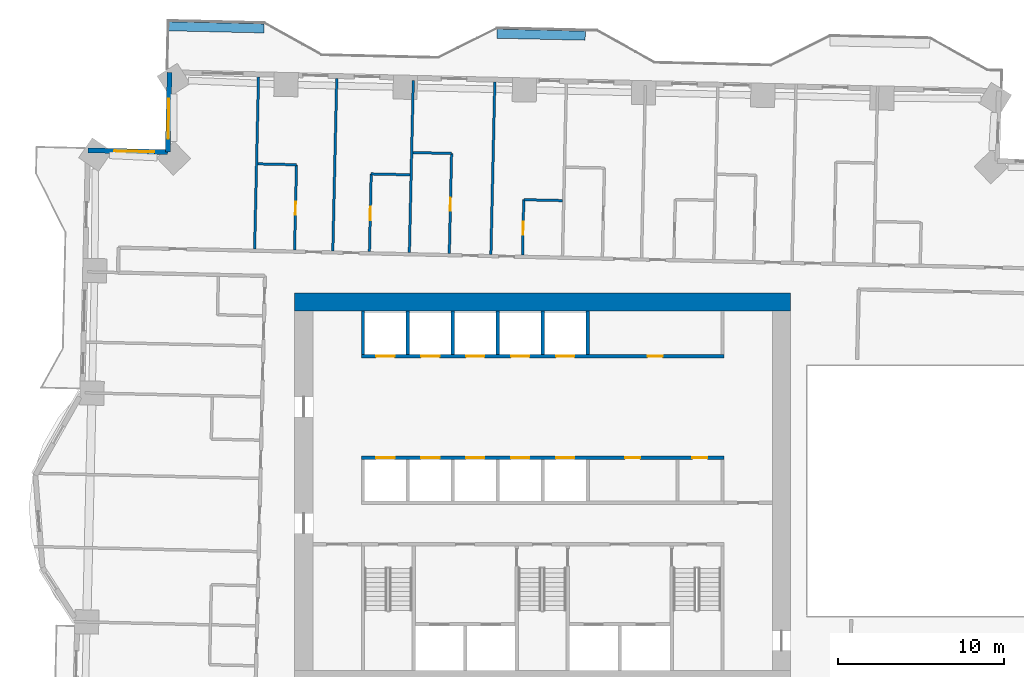
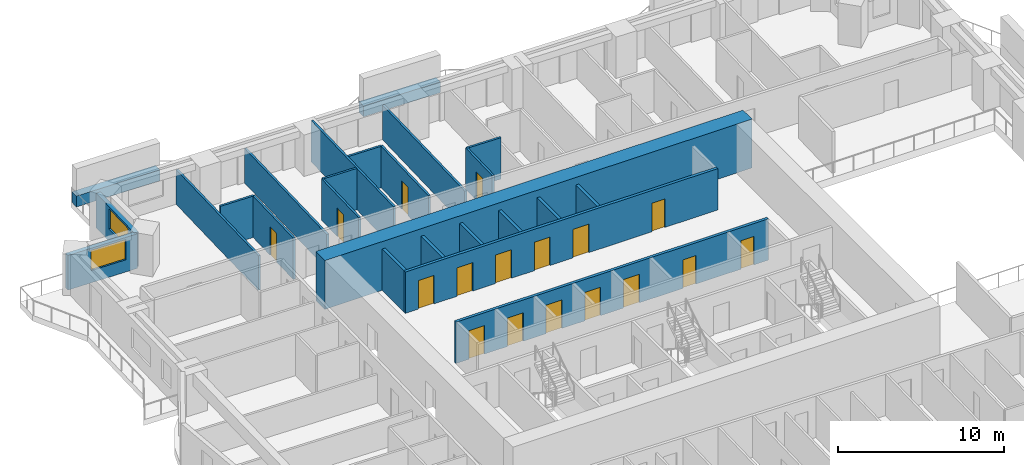
# One storey, part 11 of 18: 25 walls, 17 doors, 2 windows, 19 openings.
"""IFC4 building model written with IfcOpenShell, lengths in metres."""

from ifc_helpers import new_model, si_unit, direction, frame, frame_2d, origin, place, context, subcontext, project, spatial, rectangle, extrude, material, layer, layer_set, type_object, element, fill, save


model = new_model("IFC4")

# Units and contexts
model_context = context("Model", 3, precision=1e-05, world=origin(), true_north=direction((0.0, 1.0)))
body_context = subcontext(model_context, "Body", "Model", "MODEL_VIEW")
ifc_project = project(units=[si_unit("LENGTHUNIT", "METRE"), si_unit("AREAUNIT", "SQUARE_METRE"), si_unit("VOLUMEUNIT", "CUBIC_METRE"), si_unit("PLANEANGLEUNIT", "RADIAN"), si_unit("MASSUNIT", "GRAM", prefix="KILO")], contexts=[model_context])

# Site, building, storey
site_placement = place(None, origin())
site = spatial("IfcSite", under=ifc_project, at=site_placement, CompositionType="ELEMENT")
building_placement = place(site_placement, origin())
building = spatial("IfcBuilding", under=site, at=building_placement, Name="Mangrove Gate Tower", CompositionType="ELEMENT")
storey_placement = place(building_placement, frame((0.0, 0.0, 67.5)))
storey = spatial("IfcBuildingStorey", under=building, at=storey_placement, Name="L16", CompositionType="ELEMENT", Elevation=67.5)

# Wall, openings, doors
ifc_material_1 = material(Name="Concrete C70/85", Category="concrete")
ifc_layer_1 = layer(ifc_material_1, 0.199951171875)
ifc_layer_set_1 = layer_set([ifc_layer_1], Name="Core shaft wall 200 C70/85")
wall_type_1 = type_object("IfcWallType", Name="Core shaft wall 200 C70/85", PredefinedType="SHEAR", material=ifc_layer_set_1)
wall_1_placement = place(storey_placement, frame((-10.89990234375, 2.0, 0.0), z_axis=(0.0, 0.0, 1.0), x_axis=(1.0, 0.0, 0.0)))
wall_1 = element("IfcWall", 1, at=wall_1_placement, inside=storey, type_object=wall_type_1, Name="WALL-L16-CORE-7", PredefinedType="SHEAR", context=body_context, shape_type="SweptSolid", body=[
    extrude(rectangle(XDim=21.7998046875, YDim=0.199951171875, at=frame_2d((10.89990234375, 0.0))), origin(), (0.0, 0.0, 1.0), 3.050048828125),
])
opening_1_placement = place(wall_1_placement, frame((0.89990234375, 0.0, 0.0)))
opening_1 = element("IfcOpeningElement", 2, at=opening_1_placement, cuts=wall_1, Name="Opening LD", PredefinedType="OPENING", context=body_context, shape_type="SweptSolid", body=[
    extrude(rectangle(XDim=1.10009765625, YDim=2.10009765625, at=frame_2d((0.550048828125, 1.050048828125))), frame((0.0, 0.10986328125, 0.0), z_axis=(0.0, -1.0, 0.0), x_axis=(1.0, 0.0, 0.0)), (0.0, 0.0, 1.0), 0.219970703125),
])
opening_2_placement = place(wall_1_placement, frame((3.60009765625, 0.0, 0.0)))
opening_2 = element("IfcOpeningElement", 3, at=opening_2_placement, cuts=wall_1, Name="Opening LD", PredefinedType="OPENING", context=body_context, shape_type="SweptSolid", body=[
    extrude(rectangle(XDim=1.10009765625, YDim=2.10009765625, at=frame_2d((0.550048828125, 1.050048828125))), frame((0.0, 0.10986328125, 0.0), z_axis=(0.0, -1.0, 0.0), x_axis=(1.0, 0.0, 0.0)), (0.0, 0.0, 1.0), 0.219970703125),
])
opening_3_placement = place(wall_1_placement, frame((6.300048828125, 0.0, 0.0)))
opening_3 = element("IfcOpeningElement", 4, at=opening_3_placement, cuts=wall_1, Name="Opening LD", PredefinedType="OPENING", context=body_context, shape_type="SweptSolid", body=[
    extrude(rectangle(XDim=1.10009765625, YDim=2.10009765625, at=frame_2d((0.550048828125, 1.050048828125))), frame((0.0, 0.10986328125, 0.0), z_axis=(0.0, -1.0, 0.0), x_axis=(1.0, 0.0, 0.0)), (0.0, 0.0, 1.0), 0.219970703125),
])
opening_4_placement = place(wall_1_placement, frame((9.0, 0.0, 0.0)))
opening_4 = element("IfcOpeningElement", 5, at=opening_4_placement, cuts=wall_1, Name="Opening LD", PredefinedType="OPENING", context=body_context, shape_type="SweptSolid", body=[
    extrude(rectangle(XDim=1.10009765625, YDim=2.10009765625, at=frame_2d((0.550048828125, 1.050048828125))), frame((0.0, 0.10986328125, 0.0), z_axis=(0.0, -1.0, 0.0), x_axis=(1.0, 0.0, 0.0)), (0.0, 0.0, 1.0), 0.219970703125),
])
opening_5_placement = place(wall_1_placement, frame((11.699951171875, 0.0, 0.0)))
opening_5 = element("IfcOpeningElement", 6, at=opening_5_placement, cuts=wall_1, Name="Opening LD", PredefinedType="OPENING", context=body_context, shape_type="SweptSolid", body=[
    extrude(rectangle(XDim=1.10009765625, YDim=2.10009765625, at=frame_2d((0.550048828125, 1.050048828125))), frame((0.0, 0.10986328125, 0.0), z_axis=(0.0, -1.0, 0.0), x_axis=(1.0, 0.0, 0.0)), (0.0, 0.0, 1.0), 0.219970703125),
])
opening_6_placement = place(wall_1_placement, frame((15.85009765625, 0.0, 0.0)))
opening_6 = element("IfcOpeningElement", 7, at=opening_6_placement, cuts=wall_1, Name="Opening KD", PredefinedType="OPENING", context=body_context, shape_type="SweptSolid", body=[
    extrude(rectangle(XDim=0.89990234375, YDim=2.10009765625, at=frame_2d((0.449951171875, 1.050048828125))), frame((0.0, 0.10986328125, 0.0), z_axis=(0.0, -1.0, 0.0), x_axis=(1.0, 0.0, 0.0)), (0.0, 0.0, 1.0), 0.219970703125),
])
opening_7_placement = place(wall_1_placement, frame((19.89990234375, 0.0, 0.0)))
opening_7 = element("IfcOpeningElement", 8, at=opening_7_placement, cuts=wall_1, Name="Opening RD", PredefinedType="OPENING", context=body_context, shape_type="SweptSolid", body=[
    extrude(rectangle(XDim=0.89990234375, YDim=2.10009765625, at=frame_2d((0.449951171875, 1.050048828125))), frame((0.0, 0.10986328125, 0.0), z_axis=(0.0, -1.0, 0.0), x_axis=(1.0, 0.0, 0.0)), (0.0, 0.0, 1.0), 0.219970703125),
])
ifc_material_2 = material(Name="Fire-rated steel door set", Category="steel")
door_type_1 = type_object("IfcDoorType", Name="Core room door FD30S 900x2100", OperationType="SINGLE_SWING_RIGHT", PredefinedType="DOOR", material=ifc_material_2)
door_1_placement = place(opening_6_placement, origin())
door_1 = element("IfcDoor", 9, at=door_1_placement, inside=storey, type_object=door_type_1, Name="Core room door Linen store", OperationType="SINGLE_SWING_RIGHT", OverallHeight=2.10009765625, OverallWidth=0.89990234375, PredefinedType="DOOR", context=body_context, shape_type="SweptSolid", body=[
    extrude(rectangle(XDim=0.89990234375, YDim=2.10009765625, at=frame_2d((0.449951171875, 1.050048828125))), frame((0.0, 0.02490234375, 0.0), z_axis=(0.0, -1.0, 0.0), x_axis=(1.0, 0.0, 0.0)), (0.0, 0.0, 1.0), 0.050048828125),
])
fill(opening_6, door_1)
ifc_material_3 = material(Name="Stainless steel 316", Category="steel")
door_type_2 = type_object("IfcDoorType", Name="Lift landing door 1100x2100", OperationType="SLIDING_TO_LEFT", PredefinedType="DOOR", material=ifc_material_3)
door_2_placement = place(opening_1_placement, origin())
door_2 = element("IfcDoor", 10, at=door_2_placement, inside=storey, type_object=door_type_2, Name="Landing door LD P01", OperationType="SLIDING_TO_LEFT", OverallHeight=2.10009765625, OverallWidth=1.10009765625, PredefinedType="DOOR", context=body_context, shape_type="SweptSolid", body=[
    extrude(rectangle(XDim=1.10009765625, YDim=2.10009765625, at=frame_2d((0.550048828125, 1.050048828125))), frame((0.0, 0.02490234375, 0.0), z_axis=(0.0, -1.0, 0.0), x_axis=(1.0, 0.0, 0.0)), (0.0, 0.0, 1.0), 0.050048828125),
])
fill(opening_1, door_2)
door_3_placement = place(opening_2_placement, origin())
door_3 = element("IfcDoor", 11, at=door_3_placement, inside=storey, type_object=door_type_2, Name="Landing door LD P02", OperationType="SLIDING_TO_LEFT", OverallHeight=2.10009765625, OverallWidth=1.10009765625, PredefinedType="DOOR", context=body_context, shape_type="SweptSolid", body=[
    extrude(rectangle(XDim=1.10009765625, YDim=2.10009765625, at=frame_2d((0.550048828125, 1.050048828125))), frame((0.0, 0.02490234375, 0.0), z_axis=(0.0, -1.0, 0.0), x_axis=(1.0, 0.0, 0.0)), (0.0, 0.0, 1.0), 0.050048828125),
])
fill(opening_2, door_3)
door_4_placement = place(opening_3_placement, origin())
door_4 = element("IfcDoor", 12, at=door_4_placement, inside=storey, type_object=door_type_2, Name="Landing door LD P03", OperationType="SLIDING_TO_LEFT", OverallHeight=2.10009765625, OverallWidth=1.10009765625, PredefinedType="DOOR", context=body_context, shape_type="SweptSolid", body=[
    extrude(rectangle(XDim=1.10009765625, YDim=2.10009765625, at=frame_2d((0.550048828125, 1.050048828125))), frame((0.0, 0.02490234375, 0.0), z_axis=(0.0, -1.0, 0.0), x_axis=(1.0, 0.0, 0.0)), (0.0, 0.0, 1.0), 0.050048828125),
])
fill(opening_3, door_4)
door_5_placement = place(opening_4_placement, origin())
door_5 = element("IfcDoor", 13, at=door_5_placement, inside=storey, type_object=door_type_2, Name="Landing door LD P04", OperationType="SLIDING_TO_LEFT", OverallHeight=2.10009765625, OverallWidth=1.10009765625, PredefinedType="DOOR", context=body_context, shape_type="SweptSolid", body=[
    extrude(rectangle(XDim=1.10009765625, YDim=2.10009765625, at=frame_2d((0.550048828125, 1.050048828125))), frame((0.0, 0.02490234375, 0.0), z_axis=(0.0, -1.0, 0.0), x_axis=(1.0, 0.0, 0.0)), (0.0, 0.0, 1.0), 0.050048828125),
])
fill(opening_4, door_5)
door_6_placement = place(opening_5_placement, origin())
door_6 = element("IfcDoor", 14, at=door_6_placement, inside=storey, type_object=door_type_2, Name="Landing door LD P05", OperationType="SLIDING_TO_LEFT", OverallHeight=2.10009765625, OverallWidth=1.10009765625, PredefinedType="DOOR", context=body_context, shape_type="SweptSolid", body=[
    extrude(rectangle(XDim=1.10009765625, YDim=2.10009765625, at=frame_2d((0.550048828125, 1.050048828125))), frame((0.0, 0.02490234375, 0.0), z_axis=(0.0, -1.0, 0.0), x_axis=(1.0, 0.0, 0.0)), (0.0, 0.0, 1.0), 0.050048828125),
])
fill(opening_5, door_6)
ifc_material_4 = material(Name="Fire-rated steel door set", Category="steel")
door_type_3 = type_object("IfcDoorType", Name="Riser door FD30S 900x2100", OperationType="SINGLE_SWING_LEFT", PredefinedType="DOOR", material=ifc_material_4)
door_7_placement = place(opening_7_placement, origin())
door_7 = element("IfcDoor", 15, at=door_7_placement, inside=storey, type_object=door_type_3, Name="Riser door Switch room", OperationType="SINGLE_SWING_LEFT", OverallHeight=2.10009765625, OverallWidth=0.89990234375, PredefinedType="DOOR", context=body_context, shape_type="SweptSolid", body=[
    extrude(rectangle(XDim=0.89990234375, YDim=2.10009765625, at=frame_2d((0.449951171875, 1.050048828125))), frame((0.0, 0.02490234375, 0.0), z_axis=(0.0, -1.0, 0.0), x_axis=(1.0, 0.0, 0.0)), (0.0, 0.0, 1.0), 0.050048828125),
])
fill(opening_7, door_7)

wall_2_placement = place(storey_placement, frame((-10.89990234375, 8.10009765625, 0.0), z_axis=(0.0, 0.0, 1.0), x_axis=(1.0, 0.0, 0.0)))
wall_2 = element("IfcWall", 16, at=wall_2_placement, inside=storey, type_object=wall_type_1, Name="WALL-L16-CORE-8", PredefinedType="SHEAR", context=body_context, shape_type="SweptSolid", body=[
    extrude(rectangle(XDim=21.7998046875, YDim=0.199951171875, at=frame_2d((10.89990234375, 0.0))), origin(), (0.0, 0.0, 1.0), 3.050048828125),
])
opening_8_placement = place(wall_2_placement, frame((0.89990234375, 0.0, 0.0)))
opening_8 = element("IfcOpeningElement", 17, at=opening_8_placement, cuts=wall_2, Name="Opening LD", PredefinedType="OPENING", context=body_context, shape_type="SweptSolid", body=[
    extrude(rectangle(XDim=1.10009765625, YDim=2.10009765625, at=frame_2d((0.550048828125, 1.050048828125))), frame((0.0, 0.10986328125, 0.0), z_axis=(0.0, -1.0, 0.0), x_axis=(1.0, 0.0, 0.0)), (0.0, 0.0, 1.0), 0.219970703125),
])
opening_9_placement = place(wall_2_placement, frame((3.60009765625, 0.0, 0.0)))
opening_9 = element("IfcOpeningElement", 18, at=opening_9_placement, cuts=wall_2, Name="Opening LD", PredefinedType="OPENING", context=body_context, shape_type="SweptSolid", body=[
    extrude(rectangle(XDim=1.10009765625, YDim=2.10009765625, at=frame_2d((0.550048828125, 1.050048828125))), frame((0.0, 0.10986328125, 0.0), z_axis=(0.0, -1.0, 0.0), x_axis=(1.0, 0.0, 0.0)), (0.0, 0.0, 1.0), 0.219970703125),
])
opening_10_placement = place(wall_2_placement, frame((6.300048828125, 0.0, 0.0)))
opening_10 = element("IfcOpeningElement", 19, at=opening_10_placement, cuts=wall_2, Name="Opening LD", PredefinedType="OPENING", context=body_context, shape_type="SweptSolid", body=[
    extrude(rectangle(XDim=1.10009765625, YDim=2.10009765625, at=frame_2d((0.550048828125, 1.050048828125))), frame((0.0, 0.10986328125, 0.0), z_axis=(0.0, -1.0, 0.0), x_axis=(1.0, 0.0, 0.0)), (0.0, 0.0, 1.0), 0.219970703125),
])
opening_11_placement = place(wall_2_placement, frame((9.0, 0.0, 0.0)))
opening_11 = element("IfcOpeningElement", 20, at=opening_11_placement, cuts=wall_2, Name="Opening LD", PredefinedType="OPENING", context=body_context, shape_type="SweptSolid", body=[
    extrude(rectangle(XDim=1.10009765625, YDim=2.10009765625, at=frame_2d((0.550048828125, 1.050048828125))), frame((0.0, 0.10986328125, 0.0), z_axis=(0.0, -1.0, 0.0), x_axis=(1.0, 0.0, 0.0)), (0.0, 0.0, 1.0), 0.219970703125),
])
opening_12_placement = place(wall_2_placement, frame((11.699951171875, 0.0, 0.0)))
opening_12 = element("IfcOpeningElement", 21, at=opening_12_placement, cuts=wall_2, Name="Opening LD", PredefinedType="OPENING", context=body_context, shape_type="SweptSolid", body=[
    extrude(rectangle(XDim=1.10009765625, YDim=2.10009765625, at=frame_2d((0.550048828125, 1.050048828125))), frame((0.0, 0.10986328125, 0.0), z_axis=(0.0, -1.0, 0.0), x_axis=(1.0, 0.0, 0.0)), (0.0, 0.0, 1.0), 0.219970703125),
])
opening_13_placement = place(wall_2_placement, frame((17.199951171875, 0.0, 0.0)))
opening_13 = element("IfcOpeningElement", 22, at=opening_13_placement, cuts=wall_2, Name="Opening RD", PredefinedType="OPENING", context=body_context, shape_type="SweptSolid", body=[
    extrude(rectangle(XDim=0.89990234375, YDim=2.10009765625, at=frame_2d((0.449951171875, 1.050048828125))), frame((0.0, 0.10986328125, 0.0), z_axis=(0.0, -1.0, 0.0), x_axis=(1.0, 0.0, 0.0)), (0.0, 0.0, 1.0), 0.219970703125),
])
door_8_placement = place(opening_8_placement, origin())
door_8 = element("IfcDoor", 23, at=door_8_placement, inside=storey, type_object=door_type_2, Name="Landing door LD P06", OperationType="SLIDING_TO_LEFT", OverallHeight=2.10009765625, OverallWidth=1.10009765625, PredefinedType="DOOR", context=body_context, shape_type="SweptSolid", body=[
    extrude(rectangle(XDim=1.10009765625, YDim=2.10009765625, at=frame_2d((0.550048828125, 1.050048828125))), frame((0.0, 0.02490234375, 0.0), z_axis=(0.0, -1.0, 0.0), x_axis=(1.0, 0.0, 0.0)), (0.0, 0.0, 1.0), 0.050048828125),
])
fill(opening_8, door_8)
door_9_placement = place(opening_9_placement, origin())
door_9 = element("IfcDoor", 24, at=door_9_placement, inside=storey, type_object=door_type_2, Name="Landing door LD P07", OperationType="SLIDING_TO_LEFT", OverallHeight=2.10009765625, OverallWidth=1.10009765625, PredefinedType="DOOR", context=body_context, shape_type="SweptSolid", body=[
    extrude(rectangle(XDim=1.10009765625, YDim=2.10009765625, at=frame_2d((0.550048828125, 1.050048828125))), frame((0.0, 0.02490234375, 0.0), z_axis=(0.0, -1.0, 0.0), x_axis=(1.0, 0.0, 0.0)), (0.0, 0.0, 1.0), 0.050048828125),
])
fill(opening_9, door_9)
door_10_placement = place(opening_10_placement, origin())
door_10 = element("IfcDoor", 25, at=door_10_placement, inside=storey, type_object=door_type_2, Name="Landing door LD P08", OperationType="SLIDING_TO_LEFT", OverallHeight=2.10009765625, OverallWidth=1.10009765625, PredefinedType="DOOR", context=body_context, shape_type="SweptSolid", body=[
    extrude(rectangle(XDim=1.10009765625, YDim=2.10009765625, at=frame_2d((0.550048828125, 1.050048828125))), frame((0.0, 0.02490234375, 0.0), z_axis=(0.0, -1.0, 0.0), x_axis=(1.0, 0.0, 0.0)), (0.0, 0.0, 1.0), 0.050048828125),
])
fill(opening_10, door_10)
door_11_placement = place(opening_11_placement, origin())
door_11 = element("IfcDoor", 26, at=door_11_placement, inside=storey, type_object=door_type_2, Name="Landing door LD P09", OperationType="SLIDING_TO_LEFT", OverallHeight=2.10009765625, OverallWidth=1.10009765625, PredefinedType="DOOR", context=body_context, shape_type="SweptSolid", body=[
    extrude(rectangle(XDim=1.10009765625, YDim=2.10009765625, at=frame_2d((0.550048828125, 1.050048828125))), frame((0.0, 0.02490234375, 0.0), z_axis=(0.0, -1.0, 0.0), x_axis=(1.0, 0.0, 0.0)), (0.0, 0.0, 1.0), 0.050048828125),
])
fill(opening_11, door_11)
door_12_placement = place(opening_12_placement, origin())
door_12 = element("IfcDoor", 27, at=door_12_placement, inside=storey, type_object=door_type_2, Name="Landing door LD P10", OperationType="SLIDING_TO_LEFT", OverallHeight=2.10009765625, OverallWidth=1.10009765625, PredefinedType="DOOR", context=body_context, shape_type="SweptSolid", body=[
    extrude(rectangle(XDim=1.10009765625, YDim=2.10009765625, at=frame_2d((0.550048828125, 1.050048828125))), frame((0.0, 0.02490234375, 0.0), z_axis=(0.0, -1.0, 0.0), x_axis=(1.0, 0.0, 0.0)), (0.0, 0.0, 1.0), 0.050048828125),
])
fill(opening_12, door_12)
door_13_placement = place(opening_13_placement, origin())
door_13 = element("IfcDoor", 28, at=door_13_placement, inside=storey, type_object=door_type_3, Name="Riser door Comms room", OperationType="SINGLE_SWING_LEFT", OverallHeight=2.10009765625, OverallWidth=0.89990234375, PredefinedType="DOOR", context=body_context, shape_type="SweptSolid", body=[
    extrude(rectangle(XDim=0.89990234375, YDim=2.10009765625, at=frame_2d((0.449951171875, 1.050048828125))), frame((0.0, 0.02490234375, 0.0), z_axis=(0.0, -1.0, 0.0), x_axis=(1.0, 0.0, 0.0)), (0.0, 0.0, 1.0), 0.050048828125),
])
fill(opening_13, door_13)

# Walls
for number, where, z_axis, x_axis, name in (
    (29, (-10.800048828125, 8.199951171875, 0.0), (0.0, 0.0, 1.0), (0.0, 1.0, 0.0), "WALL-L16-CORE-27"),
    (30, (-8.10009765625, 8.199951171875, 0.0), (0.0, 0.0, 1.0), (0.0, 1.0, 0.0), "WALL-L16-CORE-28"),
    (31, (-5.39990234375, 8.199951171875, 0.0), (0.0, 0.0, 1.0), (0.0, 1.0, 0.0), "WALL-L16-CORE-29"),
    (32, (-2.699951171875, 8.199951171875, 0.0), (0.0, 0.0, 1.0), (0.0, 1.0, 0.0), "WALL-L16-CORE-30"),
    (33, (0.0, 8.199951171875, 0.0), (0.0, 0.0, 1.0), (0.0, 1.0, 0.0), "WALL-L16-CORE-31"),
    (34, (2.699951171875, 8.199951171875, 0.0), (0.0, 0.0, 1.0), (0.0, 1.0, 0.0), "WALL-L16-CORE-32"),
):
    element("IfcWall", number, at=place(storey_placement, frame(where, z_axis=z_axis, x_axis=x_axis)), inside=storey, type_object=wall_type_1, Name=name, PredefinedType="SHEAR", context=body_context, shape_type="SweptSolid", body=[
        extrude(rectangle(XDim=2.60009765625, YDim=0.199951171875, at=frame_2d((1.300048828125, 0.0))), origin(), (0.0, 0.0, 1.0), 3.050048828125),
    ])
ifc_material_5 = material(Name="Concrete C70/85", Category="concrete")
ifc_layer_2 = layer(ifc_material_5, 1.10009765625)
ifc_layer_set_2 = layer_set([ifc_layer_2], Name="Core wall 1100 C70/85")
wall_type_2 = type_object("IfcWallType", Name="Core wall 1100 C70/85", PredefinedType="SHEAR", material=ifc_layer_set_2)
wall_3_placement = place(storey_placement, frame((-14.89990234375, 11.35009765625, 0.0), z_axis=(0.0, 0.0, 1.0), x_axis=(1.0, 0.0, 0.0)))
element("IfcWall", 35, at=wall_3_placement, inside=storey, type_object=wall_type_2, Name="WALL-L16-CORE-2", PredefinedType="SHEAR", context=body_context, shape_type="SweptSolid", body=[
    extrude(rectangle(XDim=29.7998046875, YDim=1.10009765625, at=frame_2d((14.89990234375, 0.0))), origin(), (0.0, 0.0, 1.0), 3.60009765625),
])

# Wall, opening, window
ifc_material_6 = material(Name="Limestone", Category="masonry")
ifc_layer_3 = layer(ifc_material_6, 0.0400390625, Name="Limestone cladding")
ifc_material_7 = material(Name="Ventilated air gap")
ifc_layer_4 = layer(ifc_material_7, 0.0400390625, Name="Ventilated cavity")
ifc_material_8 = material(Name="Mineral wool insulation")
ifc_layer_5 = layer(ifc_material_8, 0.06005859375, Name="Insulation")
ifc_material_9 = material(Name="Breather membrane")
ifc_layer_6 = layer(ifc_material_9, 0.001953125, Name="Breather membrane")
ifc_material_10 = material(Name="Concrete C20/25 blockwork", Category="masonry")
ifc_layer_7 = layer(ifc_material_10, 0.14990234375, Name="Blockwork backing wall")
ifc_material_11 = material(Name="Gypsum plaster")
ifc_layer_8 = layer(ifc_material_11, 0.008056640625, Name="Internal plaster")
ifc_layer_set_3 = layer_set([ifc_layer_3, ifc_layer_4, ifc_layer_5, ifc_layer_6, ifc_layer_7, ifc_layer_8], Name="External wall 300 limestone cladding")
wall_type_3 = type_object("IfcWallType", Name="External wall 300 limestone cladding", PredefinedType="SOLIDWALL", material=ifc_layer_set_3)
wall_4_placement = place(storey_placement, frame((-22.416015625, 25.152099609375, 0.0), z_axis=(0.0, 0.0, 1.0), x_axis=(-0.022683280499, -0.999742701292, 0.0)))
wall_4 = element("IfcWall", 36, at=wall_4_placement, inside=storey, type_object=wall_type_3, Name="WALL-L16-W6", PredefinedType="SOLIDWALL", context=body_context, shape_type="SweptSolid", body=[
    extrude(rectangle(XDim=4.80029296875, YDim=0.300048828125, at=frame_2d((2.400146484375, 0.0))), origin(), (0.0, 0.0, 1.0), 2.550048828125),
])
opening_14_placement = place(wall_4_placement, frame((1.597900390625, 0.0, 0.89990234375)))
opening_14 = element("IfcOpeningElement", 37, at=opening_14_placement, cuts=wall_4, Name="Opening W2", PredefinedType="OPENING", context=body_context, shape_type="SweptSolid", body=[
    extrude(rectangle(XDim=2.39990234375, YDim=1.5, at=frame_2d((1.199951171875, 0.75))), frame((0.0, 0.159912109375, 0.0), z_axis=(0.0, -1.0, 0.0), x_axis=(1.0, 0.0, 0.0)), (0.0, 0.0, 1.0), 0.320068359375),
])
ifc_material_12 = material(Name="Aluminium frame with double-glazed low-e glass", Category="aluminium")
window_type = type_object("IfcWindowType", Name="Corner room window 2400x1500", PartitioningType="DOUBLE_PANEL_VERTICAL", PredefinedType="WINDOW", material=ifc_material_12)
window_1_placement = place(opening_14_placement, origin())
window_1 = element("IfcWindow", 38, at=window_1_placement, inside=storey, type_object=window_type, Name="WIN-L16-W6-1", OverallHeight=1.5, OverallWidth=2.39990234375, PartitioningType="DOUBLE_PANEL_VERTICAL", PredefinedType="WINDOW", context=body_context, shape_type="SweptSolid", body=[
    extrude(rectangle(XDim=2.39990234375, YDim=1.5, at=frame_2d((1.199951171875, 0.75))), frame((0.0, 0.030029296875, 0.0), z_axis=(0.0, -1.0, 0.0), x_axis=(1.0, 0.0, 0.0)), (0.0, 0.0, 1.0), 0.06005859375),
])
fill(opening_14, window_1)

wall_5_placement = place(storey_placement, frame((-22.52490234375, 20.35302734375, 0.0), z_axis=(0.0, 0.0, 1.0), x_axis=(-0.999742701292, 0.022683280499, 0.0)))
wall_5 = element("IfcWall", 39, at=wall_5_placement, inside=storey, type_object=wall_type_3, Name="WALL-L16-N7", PredefinedType="SOLIDWALL", context=body_context, shape_type="SweptSolid", body=[
    extrude(rectangle(XDim=4.80029296875, YDim=0.300048828125, at=frame_2d((2.400146484375, 0.0))), origin(), (0.0, 0.0, 1.0), 2.550048828125),
])
opening_15_placement = place(wall_5_placement, frame((0.801025390625, 0.0, 0.89990234375)))
opening_15 = element("IfcOpeningElement", 40, at=opening_15_placement, cuts=wall_5, Name="Opening W2", PredefinedType="OPENING", context=body_context, shape_type="SweptSolid", body=[
    extrude(rectangle(XDim=2.39990234375, YDim=1.5, at=frame_2d((1.199951171875, 0.75))), frame((0.0, 0.159912109375, 0.0), z_axis=(0.0, -1.0, 0.0), x_axis=(1.0, 0.0, 0.0)), (0.0, 0.0, 1.0), 0.320068359375),
])
window_2_placement = place(opening_15_placement, origin())
window_2 = element("IfcWindow", 41, at=window_2_placement, inside=storey, type_object=window_type, Name="WIN-L16-N7-1", OverallHeight=1.5, OverallWidth=2.39990234375, PartitioningType="DOUBLE_PANEL_VERTICAL", PredefinedType="WINDOW", context=body_context, shape_type="SweptSolid", body=[
    extrude(rectangle(XDim=2.39990234375, YDim=1.5, at=frame_2d((1.199951171875, 0.75))), frame((0.0, 0.030029296875, 0.0), z_axis=(0.0, -1.0, 0.0), x_axis=(1.0, 0.0, 0.0)), (0.0, 0.0, 1.0), 0.06005859375),
])
fill(opening_15, window_2)

# Wall
ifc_material_13 = material(Name="Gypsum board on steel stud, EI 60", Category="steel")
ifc_layer_9 = layer(ifc_material_13, 0.14990234375)
ifc_layer_set_4 = layer_set([ifc_layer_9], Name="Party wall 150 EI 60")
wall_type_4 = type_object("IfcWallType", Name="Party wall 150 EI 60", PredefinedType="PARTITIONING", material=ifc_layer_set_4)
wall_6_placement = place(storey_placement, frame((-17.30810546875, 14.532958984375, 0.0), z_axis=(0.0, 0.0, 1.0), x_axis=(0.022713904397, 0.999742005993, 0.0)))
element("IfcWall", 42, at=wall_6_placement, inside=storey, type_object=wall_type_4, Name="WALL-L16-060", PredefinedType="PARTITIONING", context=body_context, shape_type="SweptSolid", body=[
    extrude(rectangle(XDim=10.350830078125, YDim=0.14990234375, at=frame_2d((5.17529296875, 0.0))), origin(), (0.0, 0.0, 1.0), 2.550048828125),
])

# Wall, opening, door
wall_7_placement = place(storey_placement, frame((-14.907958984375, 14.47900390625, 0.0), z_axis=(0.0, 0.0, 1.0), x_axis=(0.02265315592, 0.999743384338, 0.0)))
wall_7 = element("IfcWall", 43, at=wall_7_placement, inside=storey, type_object=wall_type_4, Name="WALL-L16-061", PredefinedType="PARTITIONING", context=body_context, shape_type="SweptSolid", body=[
    extrude(rectangle(XDim=5.119140625, YDim=0.14990234375, at=frame_2d((2.5595703125, 0.0))), origin(), (0.0, 0.0, 1.0), 3.050048828125),
])
opening_16_placement = place(wall_7_placement, frame((2.110107421875, 0.0, 0.0)))
opening_16 = element("IfcOpeningElement", 44, at=opening_16_placement, cuts=wall_7, Name="Opening ED", PredefinedType="OPENING", context=body_context, shape_type="SweptSolid", body=[
    extrude(rectangle(XDim=0.800048828125, YDim=2.10009765625, at=frame_2d((0.39990234375, 1.050048828125))), frame((0.0, 0.0849609375, 0.0), z_axis=(0.0, -1.0, 0.0), x_axis=(1.0, 0.0, 0.0)), (0.0, 0.0, 1.0), 0.169921875),
])
ifc_material_14 = material(Name="Timber door leaf", Category="wood")
door_type_4 = type_object("IfcDoorType", Name="En-suite door 800", OperationType="SINGLE_SWING_LEFT", PredefinedType="DOOR", material=ifc_material_14)
door_14_placement = place(opening_16_placement, origin())
door_14 = element("IfcDoor", 45, at=door_14_placement, inside=storey, type_object=door_type_4, Name="DOOR-L16-ENS-c517", OperationType="SINGLE_SWING_LEFT", OverallHeight=2.10009765625, OverallWidth=0.800048828125, PredefinedType="DOOR", context=body_context, shape_type="SweptSolid", body=[
    extrude(rectangle(XDim=0.800048828125, YDim=2.10009765625, at=frame_2d((0.39990234375, 1.050048828125))), frame((0.0, 0.02490234375, 0.0), z_axis=(0.0, -1.0, 0.0), x_axis=(1.0, 0.0, 0.0)), (0.0, 0.0, 1.0), 0.050048828125),
])
fill(opening_16, door_14)

# Wall
wall_8_placement = place(storey_placement, frame((-12.60888671875, 14.427001953125, 0.0), z_axis=(0.0, 0.0, 1.0), x_axis=(0.022693005506, 0.999742480592, 0.0)))
element("IfcWall", 46, at=wall_8_placement, inside=storey, type_object=wall_type_4, Name="WALL-L16-062", PredefinedType="PARTITIONING", context=body_context, shape_type="SweptSolid", body=[
    extrude(rectangle(XDim=10.349609375, YDim=0.14990234375, at=frame_2d((5.1748046875, 0.0))), origin(), (0.0, 0.0, 1.0), 2.550048828125),
])

# Wall, opening, door
wall_9_placement = place(storey_placement, frame((-10.408935546875, 14.376953125, 0.0), z_axis=(0.0, 0.0, 1.0), x_axis=(0.022483854533, 0.99974720619, 0.0)))
wall_9 = element("IfcWall", 47, at=wall_9_placement, inside=storey, type_object=wall_type_4, Name="WALL-L16-063", PredefinedType="PARTITIONING", context=body_context, shape_type="SweptSolid", body=[
    extrude(rectangle(XDim=4.669189453125, YDim=0.14990234375, at=frame_2d((2.33447265625, 0.0))), origin(), (0.0, 0.0, 1.0), 3.050048828125),
])
opening_17_placement = place(wall_9_placement, frame((1.885009765625, 0.0, 0.0)))
opening_17 = element("IfcOpeningElement", 48, at=opening_17_placement, cuts=wall_9, Name="Opening ED", PredefinedType="OPENING", context=body_context, shape_type="SweptSolid", body=[
    extrude(rectangle(XDim=0.800048828125, YDim=2.10009765625, at=frame_2d((0.39990234375, 1.050048828125))), frame((0.0, 0.0849609375, 0.0), z_axis=(0.0, -1.0, 0.0), x_axis=(1.0, 0.0, 0.0)), (0.0, 0.0, 1.0), 0.169921875),
])
door_15_placement = place(opening_17_placement, origin())
door_15 = element("IfcDoor", 49, at=door_15_placement, inside=storey, type_object=door_type_4, Name="DOOR-L16-ENS-c516", OperationType="SINGLE_SWING_RIGHT", OverallHeight=2.10009765625, OverallWidth=0.800048828125, PredefinedType="DOOR", context=body_context, shape_type="SweptSolid", body=[
    extrude(rectangle(XDim=0.800048828125, YDim=2.10009765625, at=frame_2d((0.39990234375, 1.050048828125))), frame((0.0, 0.02490234375, 0.0), z_axis=(0.0, -1.0, 0.0), x_axis=(1.0, 0.0, 0.0)), (0.0, 0.0, 1.0), 0.050048828125),
])
fill(opening_17, door_15)

# Wall
wall_10_placement = place(storey_placement, frame((-8.010009765625, 14.322021484375, 0.0), z_axis=(0.0, 0.0, 1.0), x_axis=(0.022714440015, 0.999741993824, 0.0)))
element("IfcWall", 50, at=wall_10_placement, inside=storey, type_object=wall_type_4, Name="WALL-L16-064", PredefinedType="PARTITIONING", context=body_context, shape_type="SweptSolid", body=[
    extrude(rectangle(XDim=10.3505859375, YDim=0.14990234375, at=frame_2d((5.17529296875, 0.0))), origin(), (0.0, 0.0, 1.0), 3.050048828125),
])

# Wall, opening, door
wall_11_placement = place(storey_placement, frame((-5.611083984375, 14.26806640625, 0.0), z_axis=(0.0, 0.0, 1.0), x_axis=(0.022791542349, 0.999740239061, 0.0)))
wall_11 = element("IfcWall", 51, at=wall_11_placement, inside=storey, type_object=wall_type_4, Name="WALL-L16-065", PredefinedType="PARTITIONING", context=body_context, shape_type="SweptSolid", body=[
    extrude(rectangle(XDim=6.00927734375, YDim=0.14990234375, at=frame_2d((3.004638671875, 0.0))), origin(), (0.0, 0.0, 1.0), 3.050048828125),
])
opening_18_placement = place(wall_11_placement, frame((2.554931640625, 0.0, 0.0)))
opening_18 = element("IfcOpeningElement", 52, at=opening_18_placement, cuts=wall_11, Name="Opening ED", PredefinedType="OPENING", context=body_context, shape_type="SweptSolid", body=[
    extrude(rectangle(XDim=0.800048828125, YDim=2.10009765625, at=frame_2d((0.39990234375, 1.050048828125))), frame((0.0, 0.0849609375, 0.0), z_axis=(0.0, -1.0, 0.0), x_axis=(1.0, 0.0, 0.0)), (0.0, 0.0, 1.0), 0.169921875),
])
door_16_placement = place(opening_18_placement, origin())
door_16 = element("IfcDoor", 53, at=door_16_placement, inside=storey, type_object=door_type_4, Name="DOOR-L16-ENS-c515", OperationType="SINGLE_SWING_LEFT", OverallHeight=2.10009765625, OverallWidth=0.800048828125, PredefinedType="DOOR", context=body_context, shape_type="SweptSolid", body=[
    extrude(rectangle(XDim=0.800048828125, YDim=2.10009765625, at=frame_2d((0.39990234375, 1.050048828125))), frame((0.0, 0.02490234375, 0.0), z_axis=(0.0, -1.0, 0.0), x_axis=(1.0, 0.0, 0.0)), (0.0, 0.0, 1.0), 0.050048828125),
])
fill(opening_18, door_16)

# Wall
wall_12_placement = place(storey_placement, frame((-3.111083984375, 14.2109375, 0.0), z_axis=(0.0, 0.0, 1.0), x_axis=(0.022621740073, 0.999744095695, 0.0)))
element("IfcWall", 54, at=wall_12_placement, inside=storey, type_object=wall_type_4, Name="WALL-L16-066", PredefinedType="PARTITIONING", context=body_context, shape_type="SweptSolid", body=[
    extrude(rectangle(XDim=10.349853515625, YDim=0.14990234375, at=frame_2d((5.1748046875, 0.0))), origin(), (0.0, 0.0, 1.0), 2.550048828125),
])

# Wall, opening, door
wall_13_placement = place(storey_placement, frame((-1.2119140625, 14.16796875, 0.0), z_axis=(0.0, 0.0, 1.0), x_axis=(0.022801345323, 0.99974001553, 0.0)))
wall_13 = element("IfcWall", 55, at=wall_13_placement, inside=storey, type_object=wall_type_4, Name="WALL-L16-067", PredefinedType="PARTITIONING", context=body_context, shape_type="SweptSolid", body=[
    extrude(rectangle(XDim=3.330078125, YDim=0.14990234375, at=frame_2d((1.6650390625, 0.0))), origin(), (0.0, 0.0, 1.0), 3.050048828125),
])
opening_19_placement = place(wall_13_placement, frame((1.215087890625, 0.0, 0.0)))
opening_19 = element("IfcOpeningElement", 56, at=opening_19_placement, cuts=wall_13, Name="Opening ED", PredefinedType="OPENING", context=body_context, shape_type="SweptSolid", body=[
    extrude(rectangle(XDim=0.800048828125, YDim=2.10009765625, at=frame_2d((0.39990234375, 1.050048828125))), frame((0.0, 0.0849609375, 0.0), z_axis=(0.0, -1.0, 0.0), x_axis=(1.0, 0.0, 0.0)), (0.0, 0.0, 1.0), 0.169921875),
])
door_17_placement = place(opening_19_placement, origin())
door_17 = element("IfcDoor", 57, at=door_17_placement, inside=storey, type_object=door_type_4, Name="DOOR-L16-ENS-c414", OperationType="SINGLE_SWING_RIGHT", OverallHeight=2.10009765625, OverallWidth=0.800048828125, PredefinedType="DOOR", context=body_context, shape_type="SweptSolid", body=[
    extrude(rectangle(XDim=0.800048828125, YDim=2.10009765625, at=frame_2d((0.39990234375, 1.050048828125))), frame((0.0, 0.02490234375, 0.0), z_axis=(0.0, -1.0, 0.0), x_axis=(1.0, 0.0, 0.0)), (0.0, 0.0, 1.0), 0.050048828125),
])
fill(opening_19, door_17)

# Walls
wall_14_placement = place(storey_placement, frame((-1.134033203125, 17.4970703125, 0.0), z_axis=(0.0, 0.0, 1.0), x_axis=(0.999740260747, -0.02279059109, 0.0)))
element("IfcWall", 58, at=wall_14_placement, inside=storey, type_object=wall_type_4, Name="WALL-L16-079", PredefinedType="PARTITIONING", context=body_context, shape_type="SweptSolid", body=[
    extrude(rectangle(XDim=2.324462890625, YDim=0.14990234375, at=frame_2d((1.162109375, 0.0))), origin(), (0.0, 0.0, 1.0), 3.050048828125),
])
for number, where, z_axis, x_axis, name in (
    (59, (-10.302001953125, 19.044921875, 0.0), (0.0, 0.0, 1.0), (0.999749954681, -0.022361308448, 0.0), "WALL-L16-081"),
    (60, (-17.114990234375, 19.64990234375, 0.0), (0.0, 0.0, 1.0), (0.999740478815, -0.022781023197, 0.0), "WALL-L16-082"),
):
    element("IfcWall", number, at=place(storey_placement, frame(where, z_axis=z_axis, x_axis=x_axis)), inside=storey, type_object=wall_type_4, Name=name, PredefinedType="PARTITIONING", context=body_context, shape_type="SweptSolid", body=[
        extrude(rectangle(XDim=2.325439453125, YDim=0.14990234375, at=frame_2d((1.16259765625, 0.0))), origin(), (0.0, 0.0, 1.0), 3.050048828125),
    ])
wall_15_placement = place(storey_placement, frame((-7.797119140625, 20.3291015625, 0.0), z_axis=(0.0, 0.0, 1.0), x_axis=(0.999738137323, -0.022883548292, 0.0)))
element("IfcWall", 61, at=wall_15_placement, inside=storey, type_object=wall_type_4, Name="WALL-L16-085", PredefinedType="PARTITIONING", context=body_context, shape_type="SweptSolid", body=[
    extrude(rectangle(XDim=2.32568359375, YDim=0.14990234375, at=frame_2d((1.162841796875, 0.0))), origin(), (0.0, 0.0, 1.0), 3.050048828125),
])
ifc_material_15 = material(Name="Concrete C32/40", Category="concrete")
ifc_layer_10 = layer(ifc_material_15, 0.199951171875, Name="Planter trough wall")
ifc_material_16 = material(Name="Bituminous waterproofing membrane")
ifc_layer_11 = layer(ifc_material_16, 0.0048828125, Name="Waterproofing")
ifc_material_17 = material(Name="Drainage board and gravel")
ifc_layer_12 = layer(ifc_material_17, 0.044921875, Name="Drainage layer")
ifc_material_18 = material(Name="Planting soil")
ifc_layer_13 = layer(ifc_material_18, 0.300048828125, Name="Growing medium")
ifc_layer_set_5 = layer_set([ifc_layer_10, ifc_layer_11, ifc_layer_12, ifc_layer_13], Name="Planter wall 550 C32/40")
wall_type_5 = type_object("IfcWallType", Name="Planter wall 550 C32/40", PredefinedType="USERDEFINED", material=ifc_layer_set_5)
wall_16_placement = place(storey_placement, frame((-22.5029296875, 27.9189453125, 0.0), z_axis=(0.0, 0.0, 1.0), x_axis=(0.999746382879, -0.022520433404, 0.0)))
element("IfcWall", 62, at=wall_16_placement, inside=storey, type_object=wall_type_5, Name="PLANTER L16 N1.1", ObjectType="PLANTER", PredefinedType="USERDEFINED", context=body_context, shape_type="SweptSolid", body=[
    extrude(rectangle(XDim=5.767333984375, YDim=0.550048828125, at=frame_2d((2.8837890625, 0.0))), origin(), (0.0, 0.0, 1.0), 0.800048828125),
])
wall_17_placement = place(storey_placement, frame((-2.739990234375, 27.470947265625, 0.0), z_axis=(0.0, 0.0, 1.0), x_axis=(0.999744137411, -0.022619896386, 0.0)))
element("IfcWall", 63, at=wall_17_placement, inside=storey, type_object=wall_type_5, Name="PLANTER L16 N1.2", ObjectType="PLANTER", PredefinedType="USERDEFINED", context=body_context, shape_type="SweptSolid", body=[
    extrude(rectangle(XDim=5.299560546875, YDim=0.550048828125, at=frame_2d((2.64990234375, 0.0))), origin(), (0.0, 0.0, 1.0), 0.800048828125),
])

save(model, "model.ifc")
